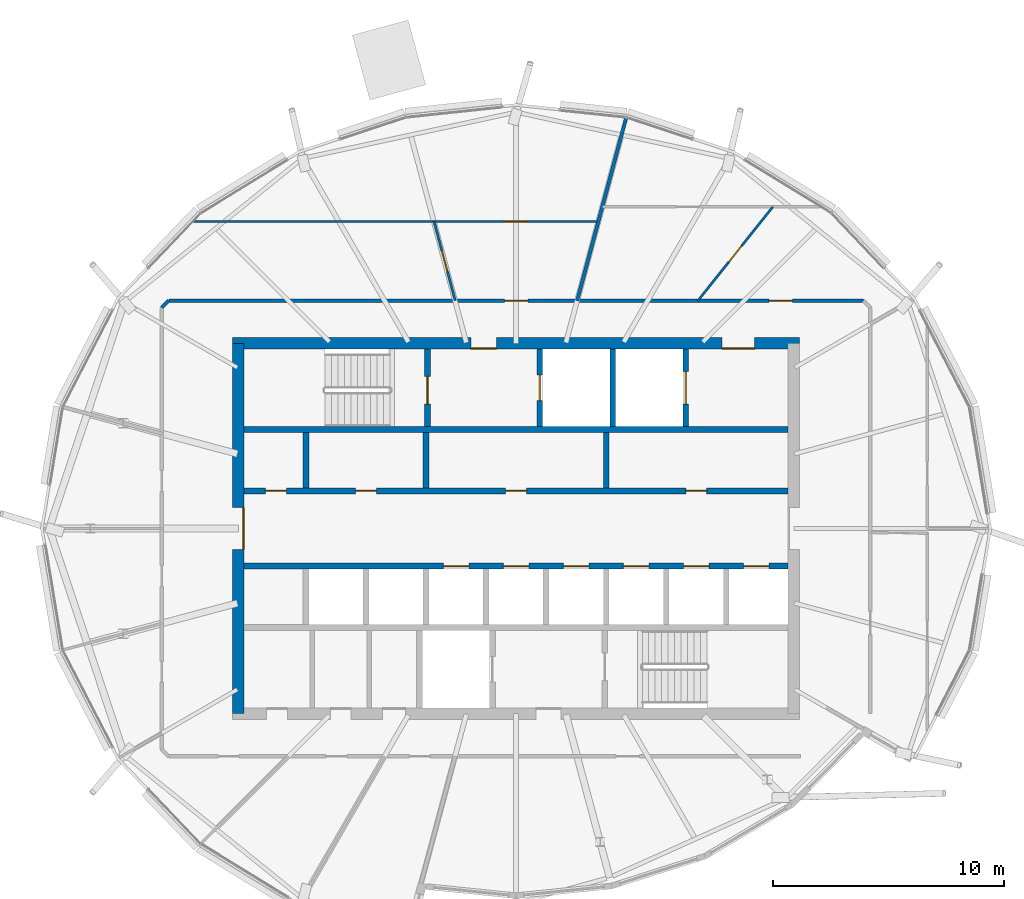
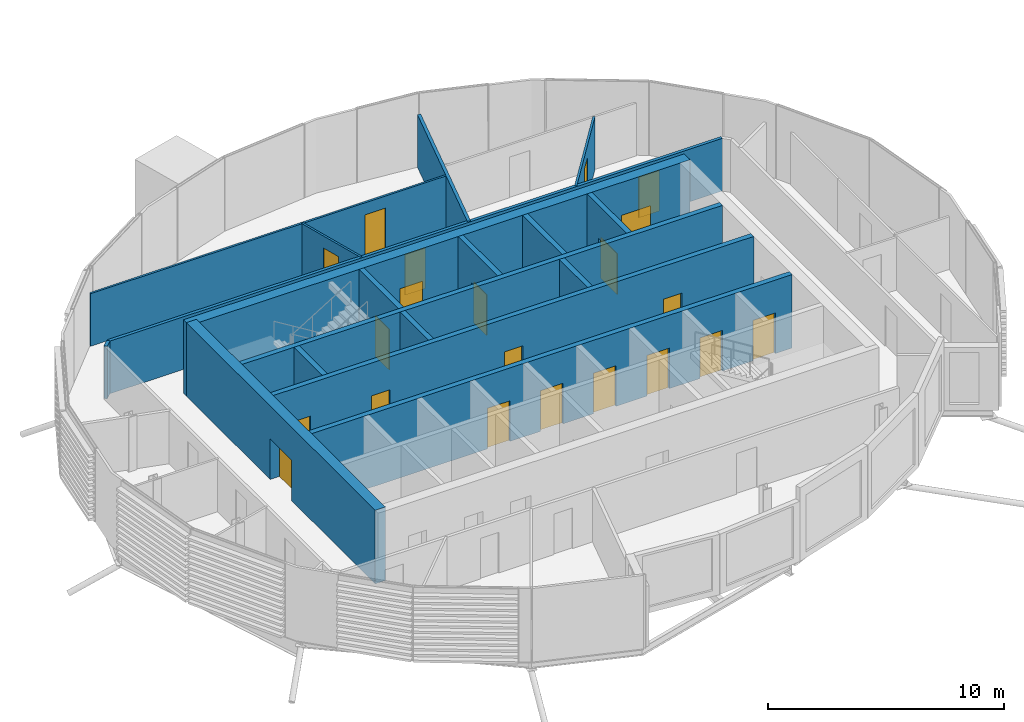
# One storey, part 17 of 33: 21 doors, 18 walls, 21 openings.
"""IFC4 building model written with IfcOpenShell, lengths in metres."""

from ifc_helpers import new_model, si_unit, direction, frame, frame_2d, origin, place, context, subcontext, project, spatial, rectangle, extrude, material, layer, layer_set, type_object, element, fill, save


model = new_model("IFC4")

# Units and contexts
model_context = context("Model", 3, precision=1e-05, world=origin(), true_north=direction((0.0, 1.0)))
body_context = subcontext(model_context, "Body", "Model", "MODEL_VIEW")
ifc_project = project(units=[si_unit("LENGTHUNIT", "METRE"), si_unit("AREAUNIT", "SQUARE_METRE"), si_unit("VOLUMEUNIT", "CUBIC_METRE"), si_unit("PLANEANGLEUNIT", "RADIAN"), si_unit("MASSUNIT", "GRAM", prefix="KILO")], contexts=[model_context])

# Site, building, storey
site_placement = place(None, origin())
site = spatial("IfcSite", under=ifc_project, at=site_placement, CompositionType="ELEMENT")
building_placement = place(site_placement, origin())
building = spatial("IfcBuilding", under=site, at=building_placement, Name="Rimbun Link Towers", CompositionType="ELEMENT")
storey_placement = place(building_placement, frame((0.0, 0.0, 237.10009765625)))
storey = spatial("IfcBuildingStorey", under=building, at=storey_placement, Name="L58", CompositionType="ELEMENT", Elevation=237.10009765625)

# Wall, openings, doors
ifc_material_1 = material(Name="Concrete C60/75", Category="concrete")
ifc_layer_1 = layer(ifc_material_1, 0.5)
ifc_layer_set_1 = layer_set([ifc_layer_1], Name="Core shear wall 500")
wall_type_1 = type_object("IfcWallType", Name="Core shear wall 500", PredefinedType="SHEAR", material=ifc_layer_set_1)
wall_1_placement = place(storey_placement, frame((-44.0, 8.0, 0.0), z_axis=(0.0, 0.0, 1.0), x_axis=(1.0, 0.0, 0.0)))
wall_1 = element("IfcWall", 1, at=wall_1_placement, inside=storey, type_object=wall_type_1, Name="L58 T1 core wall N", PredefinedType="SHEAR", context=body_context, shape_type="SweptSolid", body=[
    extrude(rectangle(XDim=24.5, YDim=0.5, at=frame_2d((12.25, 0.0))), origin(), (0.0, 0.0, 1.0), 3.7998046875),
])
opening_1_placement = place(wall_1_placement, frame((10.300048828125, 0.0, 0.0)))
opening_1 = element("IfcOpeningElement", 2, at=opening_1_placement, cuts=wall_1, Name="Opening C1DCF01N", PredefinedType="OPENING", context=body_context, shape_type="SweptSolid", body=[
    extrude(rectangle(XDim=1.10009765625, YDim=2.10009765625, at=frame_2d((0.550048828125, 1.050048828125))), frame((0.0, 0.260009765625, 0.0), z_axis=(0.0, -1.0, 0.0), x_axis=(1.0, 0.0, 0.0)), (0.0, 0.0, 1.0), 0.52001953125),
])
opening_2_placement = place(wall_1_placement, frame((21.14990234375, 0.0, 0.0)))
opening_2 = element("IfcOpeningElement", 3, at=opening_2_placement, cuts=wall_1, Name="Opening C1DSL02N", PredefinedType="OPENING", context=body_context, shape_type="SweptSolid", body=[
    extrude(rectangle(XDim=1.39990234375, YDim=2.10009765625, at=frame_2d((0.699951171875, 1.050048828125))), frame((0.0, 0.260009765625, 0.0), z_axis=(0.0, -1.0, 0.0), x_axis=(1.0, 0.0, 0.0)), (0.0, 0.0, 1.0), 0.52001953125),
])
ifc_material_2 = material(Name="Steel fire door set", Category="steel")
door_type_1 = type_object("IfcDoorType", Name="Core fire door single", OperationType="SINGLE_SWING_LEFT", PredefinedType="DOOR", material=ifc_material_2)
door_1_placement = place(opening_1_placement, origin())
door_1 = element("IfcDoor", 4, at=door_1_placement, inside=storey, type_object=door_type_1, Name="L58 T1 firefighting lobby n door", OperationType="SINGLE_SWING_LEFT", OverallHeight=2.10009765625, OverallWidth=1.10009765625, PredefinedType="DOOR", context=body_context, shape_type="SweptSolid", body=[
    extrude(rectangle(XDim=1.10009765625, YDim=2.10009765625, at=frame_2d((0.550048828125, 1.050048828125))), frame((0.0, -0.2001953125, 0.0), z_axis=(0.0, -1.0, 0.0), x_axis=(1.0, 0.0, 0.0)), (0.0, 0.0, 1.0), 0.050048828125),
])
fill(opening_1, door_1)
ifc_material_3 = material(Name="Steel fire door set", Category="steel")
door_type_2 = type_object("IfcDoorType", Name="Service lobby door double", OperationType="DOUBLE_DOOR_SINGLE_SWING", PredefinedType="DOOR", material=ifc_material_3)
door_2_placement = place(opening_2_placement, origin())
door_2 = element("IfcDoor", 5, at=door_2_placement, inside=storey, type_object=door_type_2, Name="L58 T1 service lobby door", OperationType="DOUBLE_DOOR_SINGLE_SWING", OverallHeight=2.10009765625, OverallWidth=1.39990234375, PredefinedType="DOOR", context=body_context, shape_type="SweptSolid", body=[
    extrude(rectangle(XDim=1.39990234375, YDim=2.10009765625, at=frame_2d((0.699951171875, 1.050048828125))), frame((0.0, -0.2001953125, 0.0), z_axis=(0.0, -1.0, 0.0), x_axis=(1.0, 0.0, 0.0)), (0.0, 0.0, 1.0), 0.050048828125),
])
fill(opening_2, door_2)

# Wall, opening, door
wall_2_placement = place(storey_placement, frame((-43.75, -8.0, 0.0), z_axis=(0.0, 0.0, 1.0), x_axis=(0.0, 1.0, 0.0)))
wall_2 = element("IfcWall", 6, at=wall_2_placement, inside=storey, type_object=wall_type_1, Name="L58 T1 core wall W", PredefinedType="SHEAR", context=body_context, shape_type="SweptSolid", body=[
    extrude(rectangle(XDim=16.0, YDim=0.5, at=frame_2d((8.0, 0.0))), origin(), (0.0, 0.0, 1.0), 3.7998046875),
])
opening_3_placement = place(wall_2_placement, frame((7.10009765625, 0.0, 0.0)))
opening_3 = element("IfcOpeningElement", 7, at=opening_3_placement, cuts=wall_2, Name="Opening C1DCL01W", PredefinedType="OPENING", context=body_context, shape_type="SweptSolid", body=[
    extrude(rectangle(XDim=1.800048828125, YDim=2.10009765625, at=frame_2d((0.89990234375, 1.050048828125))), frame((0.0, 0.260009765625, 0.0), z_axis=(0.0, -1.0, 0.0), x_axis=(1.0, 0.0, 0.0)), (0.0, 0.0, 1.0), 0.52001953125),
])
ifc_material_4 = material(Name="Steel fire door set", Category="steel")
door_type_3 = type_object("IfcDoorType", Name="Core lobby door double", OperationType="DOUBLE_DOOR_SINGLE_SWING", PredefinedType="DOOR", material=ifc_material_4)
door_3_placement = place(opening_3_placement, origin())
door_3 = element("IfcDoor", 8, at=door_3_placement, inside=storey, type_object=door_type_3, Name="L58 T1 lift lobby door", OperationType="DOUBLE_DOOR_SINGLE_SWING", OverallHeight=2.10009765625, OverallWidth=1.800048828125, PredefinedType="DOOR", context=body_context, shape_type="SweptSolid", body=[
    extrude(rectangle(XDim=1.800048828125, YDim=2.10009765625, at=frame_2d((0.89990234375, 1.050048828125))), frame((0.0, -0.2001953125, 0.0), z_axis=(0.0, -1.0, 0.0), x_axis=(1.0, 0.0, 0.0)), (0.0, 0.0, 1.0), 0.050048828125),
])
fill(opening_3, door_3)

# Wall
ifc_material_5 = material(Name="Plasterboard on steel stud, mineral wool", Category="steel")
ifc_layer_2 = layer(ifc_material_5, 0.14990234375)
ifc_layer_set_2 = layer_set([ifc_layer_2], Name="Corridor wall EI 30 150 mm")
wall_type_2 = type_object("IfcWallType", Name="Corridor wall EI 30 150 mm", PredefinedType="PARTITIONING", material=ifc_layer_set_2)
wall_3_placement = place(storey_placement, frame((-46.753662109375, 9.844970703125, 0.0), z_axis=(0.0, 0.0, 1.0), x_axis=(-0.707106781187, -0.707106781187, 0.0)))
element("IfcWall", 9, at=wall_3_placement, inside=storey, type_object=wall_type_2, Name="Corridor wall EI 30 150 mm", PredefinedType="PARTITIONING", context=body_context, shape_type="SweptSolid", body=[
    extrude(rectangle(XDim=0.426025390625, YDim=0.14990234375, at=frame_2d((0.212890625, 0.0))), origin(), (0.0, 0.0, 1.0), 2.721923828125),
])

# Wall, openings, doors
wall_4_placement = place(storey_placement, frame((-46.753662109375, 9.844970703125, 0.0), z_axis=(0.0, 0.0, 1.0), x_axis=(1.0, 0.0, 0.0)))
wall_4 = element("IfcWall", 10, at=wall_4_placement, inside=storey, type_object=wall_type_2, Name="Corridor wall EI 30 150 mm", PredefinedType="PARTITIONING", context=body_context, shape_type="SweptSolid", body=[
    extrude(rectangle(XDim=30.00732421875, YDim=0.14990234375, at=frame_2d((15.003662109375, 0.0))), origin(), (0.0, 0.0, 1.0), 2.721923828125),
])
opening_4_placement = place(wall_4_placement, frame((25.933837890625, 0.0, 0.0)))
opening_4 = element("IfcOpeningElement", 11, at=opening_4_placement, cuts=wall_4, Name="Opening D01", PredefinedType="OPENING", context=body_context, shape_type="SweptSolid", body=[
    extrude(rectangle(XDim=1.0, YDim=2.10009765625, at=frame_2d((0.5, 1.050048828125))), frame((0.0, 0.0849609375, 0.0), z_axis=(0.0, -1.0, 0.0), x_axis=(1.0, 0.0, 0.0)), (0.0, 0.0, 1.0), 0.169921875),
])
opening_5_placement = place(wall_4_placement, frame((14.507080078125, 0.0, 0.0)))
opening_5 = element("IfcOpeningElement", 12, at=opening_5_placement, cuts=wall_4, Name="Opening D01", PredefinedType="OPENING", context=body_context, shape_type="SweptSolid", body=[
    extrude(rectangle(XDim=1.0, YDim=2.10009765625, at=frame_2d((0.5, 1.050048828125))), frame((0.0, 0.0849609375, 0.0), z_axis=(0.0, -1.0, 0.0), x_axis=(1.0, 0.0, 0.0)), (0.0, 0.0, 1.0), 0.169921875),
])
ifc_material_6 = material(Name="Fire-resisting timber door leaf", Category="wood")
door_type_4 = type_object("IfcDoorType", Name="Fire door FD30S 1000", OperationType="NOTDEFINED", PredefinedType="DOOR", material=ifc_material_6)
door_4_placement = place(opening_4_placement, origin())
door_4 = element("IfcDoor", 13, at=door_4_placement, inside=storey, type_object=door_type_4, Name="Fire door FD30S 1000 to Reception", OperationType="SINGLE_SWING_RIGHT", OverallHeight=2.10009765625, OverallWidth=1.0, PredefinedType="DOOR", context=body_context, shape_type="SweptSolid", body=[
    extrude(rectangle(XDim=1.0, YDim=2.10009765625, at=frame_2d((0.5, 1.050048828125))), frame((0.0, 0.02490234375, 0.0), z_axis=(0.0, -1.0, 0.0), x_axis=(1.0, 0.0, 0.0)), (0.0, 0.0, 1.0), 0.050048828125),
])
fill(opening_4, door_4)
door_5_placement = place(opening_5_placement, origin())
door_5 = element("IfcDoor", 14, at=door_5_placement, inside=storey, type_object=door_type_4, Name="Fire door FD30S 1000 to Reception", OperationType="SINGLE_SWING_LEFT", OverallHeight=2.10009765625, OverallWidth=1.0, PredefinedType="DOOR", context=body_context, shape_type="SweptSolid", body=[
    extrude(rectangle(XDim=1.0, YDim=2.10009765625, at=frame_2d((0.5, 1.050048828125))), frame((0.0, 0.02490234375, 0.0), z_axis=(0.0, -1.0, 0.0), x_axis=(1.0, 0.0, 0.0)), (0.0, 0.0, 1.0), 0.050048828125),
])
fill(opening_5, door_5)

# Wall, opening, door
ifc_material_7 = material(Name="Plasterboard on steel stud", Category="steel")
ifc_layer_3 = layer(ifc_material_7, 0.10009765625)
ifc_layer_set_3 = layer_set([ifc_layer_3], Name="Plasterboard partition 100 mm")
wall_type_3 = type_object("IfcWallType", Name="Plasterboard partition 100 mm", PredefinedType="PARTITIONING", material=ifc_layer_set_3)
wall_5_placement = place(storey_placement, frame((-23.893310546875, 9.844970703125, 0.0), z_axis=(0.0, 0.0, 1.0), x_axis=(0.623769525553, 0.781608328379, 0.0)))
wall_5 = element("IfcWall", 15, at=wall_5_placement, inside=storey, type_object=wall_type_3, Name="Plasterboard partition 100 mm", PredefinedType="PARTITIONING", context=body_context, shape_type="SweptSolid", body=[
    extrude(rectangle(XDim=5.181640625, YDim=0.10009765625, at=frame_2d((2.5908203125, 0.0))), origin(), (0.0, 0.0, 1.0), 2.721923828125),
])
opening_6_placement = place(wall_5_placement, frame((2.140869140625, 0.0, 0.0)))
opening_6 = element("IfcOpeningElement", 16, at=opening_6_placement, cuts=wall_5, Name="Opening D04", PredefinedType="OPENING", context=body_context, shape_type="SweptSolid", body=[
    extrude(rectangle(XDim=0.89990234375, YDim=2.10009765625, at=frame_2d((0.449951171875, 1.050048828125))), frame((0.0, 0.06005859375, 0.0), z_axis=(0.0, -1.0, 0.0), x_axis=(1.0, 0.0, 0.0)), (0.0, 0.0, 1.0), 0.1201171875),
])
ifc_material_8 = material(Name="Timber door leaf", Category="wood")
door_type_5 = type_object("IfcDoorType", Name="Flush door 900", OperationType="NOTDEFINED", PredefinedType="DOOR", material=ifc_material_8)
door_6_placement = place(opening_6_placement, origin())
door_6 = element("IfcDoor", 17, at=door_6_placement, inside=storey, type_object=door_type_5, Name="Flush door 900 to Pantry", OperationType="SINGLE_SWING_LEFT", OverallHeight=2.10009765625, OverallWidth=0.89990234375, PredefinedType="DOOR", context=body_context, shape_type="SweptSolid", body=[
    extrude(rectangle(XDim=0.89990234375, YDim=2.10009765625, at=frame_2d((0.449951171875, 1.050048828125))), frame((0.0, 0.02490234375, 0.0), z_axis=(0.0, -1.0, 0.0), x_axis=(1.0, 0.0, 0.0)), (0.0, 0.0, 1.0), 0.050048828125),
])
fill(opening_6, door_6)

wall_6_placement = place(storey_placement, frame((-34.380859375, 9.844970703125, 0.0), z_axis=(0.0, 0.0, 1.0), x_axis=(-0.258212054704, 0.966088264501, 0.0)))
wall_6 = element("IfcWall", 18, at=wall_6_placement, inside=storey, type_object=wall_type_3, Name="Plasterboard partition 100 mm", PredefinedType="PARTITIONING", context=body_context, shape_type="SweptSolid", body=[
    extrude(rectangle(XDim=3.5400390625, YDim=0.10009765625, at=frame_2d((1.77001953125, 0.0))), origin(), (0.0, 0.0, 1.0), 2.721923828125),
])
opening_7_placement = place(wall_6_placement, frame((1.320068359375, 0.0, 0.0)))
opening_7 = element("IfcOpeningElement", 19, at=opening_7_placement, cuts=wall_6, Name="Opening D04", PredefinedType="OPENING", context=body_context, shape_type="SweptSolid", body=[
    extrude(rectangle(XDim=0.89990234375, YDim=2.10009765625, at=frame_2d((0.449951171875, 1.050048828125))), frame((0.0, 0.06005859375, 0.0), z_axis=(0.0, -1.0, 0.0), x_axis=(1.0, 0.0, 0.0)), (0.0, 0.0, 1.0), 0.1201171875),
])
door_7_placement = place(opening_7_placement, origin())
door_7 = element("IfcDoor", 20, at=door_7_placement, inside=storey, type_object=door_type_5, Name="Flush door 900 to Meeting room", OperationType="SINGLE_SWING_RIGHT", OverallHeight=2.10009765625, OverallWidth=0.89990234375, PredefinedType="DOOR", context=body_context, shape_type="SweptSolid", body=[
    extrude(rectangle(XDim=0.89990234375, YDim=2.10009765625, at=frame_2d((0.449951171875, 1.050048828125))), frame((0.0, 0.02490234375, 0.0), z_axis=(0.0, -1.0, 0.0), x_axis=(1.0, 0.0, 0.0)), (0.0, 0.0, 1.0), 0.050048828125),
])
fill(opening_7, door_7)

wall_7_placement = place(storey_placement, frame((-45.677978515625, 13.264892578125, 0.0), z_axis=(0.0, 0.0, 1.0), x_axis=(1.0, 0.0, 0.0)))
wall_7 = element("IfcWall", 21, at=wall_7_placement, inside=storey, type_object=wall_type_3, Name="Plasterboard partition 100 mm", PredefinedType="PARTITIONING", context=body_context, shape_type="SweptSolid", body=[
    extrude(rectangle(XDim=17.482177734375, YDim=0.10009765625, at=frame_2d((8.7412109375, 0.0))), origin(), (0.0, 0.0, 1.0), 2.721923828125),
])
opening_8_placement = place(wall_7_placement, frame((13.417724609375, 0.0, 0.0)))
opening_8 = element("IfcOpeningElement", 22, at=opening_8_placement, cuts=wall_7, Name="Opening D03", PredefinedType="OPENING", context=body_context, shape_type="SweptSolid", body=[
    extrude(rectangle(XDim=1.0, YDim=2.10009765625, at=frame_2d((0.5, 1.050048828125))), frame((0.0, 0.06005859375, 0.0), z_axis=(0.0, -1.0, 0.0), x_axis=(1.0, 0.0, 0.0)), (0.0, 0.0, 1.0), 0.1201171875),
])
ifc_material_9 = material(Name="Timber door leaf", Category="wood")
door_type_6 = type_object("IfcDoorType", Name="Flush door 1000", OperationType="NOTDEFINED", PredefinedType="DOOR", material=ifc_material_9)
door_8_placement = place(opening_8_placement, origin())
door_8 = element("IfcDoor", 23, at=door_8_placement, inside=storey, type_object=door_type_6, Name="Flush door 1000 to Open office", OperationType="SINGLE_SWING_LEFT", OverallHeight=2.10009765625, OverallWidth=1.0, PredefinedType="DOOR", context=body_context, shape_type="SweptSolid", body=[
    extrude(rectangle(XDim=1.0, YDim=2.10009765625, at=frame_2d((0.5, 1.050048828125))), frame((0.0, 0.02490234375, 0.0), z_axis=(0.0, -1.0, 0.0), x_axis=(1.0, 0.0, 0.0)), (0.0, 0.0, 1.0), 0.050048828125),
])
fill(opening_8, door_8)

# Wall
ifc_material_10 = material(Name="Concrete C60/75", Category="concrete")
ifc_layer_4 = layer(ifc_material_10, 0.25)
ifc_layer_set_4 = layer_set([ifc_layer_4], Name="Shaft wall 250")
wall_type_4 = type_object("IfcWallType", Name="Shaft wall 250", PredefinedType="SHEAR", material=ifc_layer_set_4)
wall_8_placement = place(storey_placement, frame((-43.5, 4.27490234375, 0.0), z_axis=(0.0, 0.0, 1.0), x_axis=(1.0, 0.0, 0.0)))
element("IfcWall", 24, at=wall_8_placement, inside=storey, type_object=wall_type_4, Name="L58 T1 core wall BN", PredefinedType="SHEAR", context=body_context, shape_type="SweptSolid", body=[
    extrude(rectangle(XDim=23.5, YDim=0.25, at=frame_2d((11.75, 0.0))), origin(), (0.0, 0.0, 1.0), 3.7998046875),
])

# Wall, openings, doors
wall_9_placement = place(storey_placement, frame((-43.5, 1.625, 0.0), z_axis=(0.0, 0.0, 1.0), x_axis=(1.0, 0.0, 0.0)))
wall_9 = element("IfcWall", 25, at=wall_9_placement, inside=storey, type_object=wall_type_4, Name="L58 T1 core wall FN", PredefinedType="SHEAR", context=body_context, shape_type="SweptSolid", body=[
    extrude(rectangle(XDim=23.5, YDim=0.25, at=frame_2d((11.75, 0.0))), origin(), (0.0, 0.0, 1.0), 3.7998046875),
])
opening_9_placement = place(wall_9_placement, frame((0.922119140625, 0.0, 0.0)))
opening_9 = element("IfcOpeningElement", 26, at=opening_9_placement, cuts=wall_9, Name="Opening C1DRS01FN", PredefinedType="OPENING", context=body_context, shape_type="SweptSolid", body=[
    extrude(rectangle(XDim=0.89990234375, YDim=2.10009765625, at=frame_2d((0.449951171875, 1.050048828125))), frame((0.0, 0.135009765625, 0.0), z_axis=(0.0, -1.0, 0.0), x_axis=(1.0, 0.0, 0.0)), (0.0, 0.0, 1.0), 0.27001953125),
])
opening_10_placement = place(wall_9_placement, frame((4.81396484375, 0.0, 0.0)))
opening_10 = element("IfcOpeningElement", 27, at=opening_10_placement, cuts=wall_9, Name="Opening C1DRS02FN", PredefinedType="OPENING", context=body_context, shape_type="SweptSolid", body=[
    extrude(rectangle(XDim=0.89990234375, YDim=2.10009765625, at=frame_2d((0.449951171875, 1.050048828125))), frame((0.0, 0.135009765625, 0.0), z_axis=(0.0, -1.0, 0.0), x_axis=(1.0, 0.0, 0.0)), (0.0, 0.0, 1.0), 0.27001953125),
])
opening_11_placement = place(wall_9_placement, frame((11.300048828125, 0.0, 0.0)))
opening_11 = element("IfcOpeningElement", 28, at=opening_11_placement, cuts=wall_9, Name="Opening C1DRS03FN", PredefinedType="OPENING", context=body_context, shape_type="SweptSolid", body=[
    extrude(rectangle(XDim=0.89990234375, YDim=2.10009765625, at=frame_2d((0.449951171875, 1.050048828125))), frame((0.0, 0.135009765625, 0.0), z_axis=(0.0, -1.0, 0.0), x_axis=(1.0, 0.0, 0.0)), (0.0, 0.0, 1.0), 0.27001953125),
])
opening_12_placement = place(wall_9_placement, frame((19.083251953125, 0.0, 0.0)))
opening_12 = element("IfcOpeningElement", 29, at=opening_12_placement, cuts=wall_9, Name="Opening C1DRS04FN", PredefinedType="OPENING", context=body_context, shape_type="SweptSolid", body=[
    extrude(rectangle(XDim=0.89990234375, YDim=2.10009765625, at=frame_2d((0.449951171875, 1.050048828125))), frame((0.0, 0.135009765625, 0.0), z_axis=(0.0, -1.0, 0.0), x_axis=(1.0, 0.0, 0.0)), (0.0, 0.0, 1.0), 0.27001953125),
])
ifc_material_11 = material(Name="Steel fire door set", Category="steel")
door_type_7 = type_object("IfcDoorType", Name="Core riser door", OperationType="SINGLE_SWING_LEFT", PredefinedType="DOOR", material=ifc_material_11)
door_9_placement = place(opening_9_placement, origin())
door_9 = element("IfcDoor", 30, at=door_9_placement, inside=storey, type_object=door_type_7, Name="L58 T1 cleaner store door", OperationType="SINGLE_SWING_LEFT", OverallHeight=2.10009765625, OverallWidth=0.89990234375, PredefinedType="DOOR", context=body_context, shape_type="SweptSolid", body=[
    extrude(rectangle(XDim=0.89990234375, YDim=2.10009765625, at=frame_2d((0.449951171875, 1.050048828125))), frame((0.0, 0.02490234375, 0.0), z_axis=(0.0, -1.0, 0.0), x_axis=(1.0, 0.0, 0.0)), (0.0, 0.0, 1.0), 0.050048828125),
])
fill(opening_9, door_9)
door_10_placement = place(opening_10_placement, origin())
door_10 = element("IfcDoor", 31, at=door_10_placement, inside=storey, type_object=door_type_7, Name="L58 T1 staff lounge door", OperationType="SINGLE_SWING_RIGHT", OverallHeight=2.10009765625, OverallWidth=0.89990234375, PredefinedType="DOOR", context=body_context, shape_type="SweptSolid", body=[
    extrude(rectangle(XDim=0.89990234375, YDim=2.10009765625, at=frame_2d((0.449951171875, 1.050048828125))), frame((0.0, 0.02490234375, 0.0), z_axis=(0.0, -1.0, 0.0), x_axis=(1.0, 0.0, 0.0)), (0.0, 0.0, 1.0), 0.050048828125),
])
fill(opening_10, door_10)
door_11_placement = place(opening_11_placement, origin())
door_11 = element("IfcDoor", 32, at=door_11_placement, inside=storey, type_object=door_type_7, Name="L58 T1 training store door", OperationType="SINGLE_SWING_LEFT", OverallHeight=2.10009765625, OverallWidth=0.89990234375, PredefinedType="DOOR", context=body_context, shape_type="SweptSolid", body=[
    extrude(rectangle(XDim=0.89990234375, YDim=2.10009765625, at=frame_2d((0.449951171875, 1.050048828125))), frame((0.0, 0.02490234375, 0.0), z_axis=(0.0, -1.0, 0.0), x_axis=(1.0, 0.0, 0.0)), (0.0, 0.0, 1.0), 0.050048828125),
])
fill(opening_11, door_11)
door_12_placement = place(opening_12_placement, origin())
door_12 = element("IfcDoor", 33, at=door_12_placement, inside=storey, type_object=door_type_7, Name="L58 T1 meeting pod door", OperationType="SINGLE_SWING_LEFT", OverallHeight=2.10009765625, OverallWidth=0.89990234375, PredefinedType="DOOR", context=body_context, shape_type="SweptSolid", body=[
    extrude(rectangle(XDim=0.89990234375, YDim=2.10009765625, at=frame_2d((0.449951171875, 1.050048828125))), frame((0.0, 0.02490234375, 0.0), z_axis=(0.0, -1.0, 0.0), x_axis=(1.0, 0.0, 0.0)), (0.0, 0.0, 1.0), 0.050048828125),
])
fill(opening_12, door_12)

wall_10_placement = place(storey_placement, frame((-43.5, -1.625, 0.0), z_axis=(0.0, 0.0, 1.0), x_axis=(1.0, 0.0, 0.0)))
wall_10 = element("IfcWall", 34, at=wall_10_placement, inside=storey, type_object=wall_type_4, Name="L58 T1 core wall FS", PredefinedType="SHEAR", context=body_context, shape_type="SweptSolid", body=[
    extrude(rectangle(XDim=23.5, YDim=0.25, at=frame_2d((11.75, 0.0))), origin(), (0.0, 0.0, 1.0), 3.7998046875),
])
opening_13_placement = place(wall_10_placement, frame((8.605712890625, 0.0, 0.0)))
opening_13 = element("IfcOpeningElement", 35, at=opening_13_placement, cuts=wall_10, Name="Opening LD-T1-HR1", PredefinedType="OPENING", context=body_context, shape_type="SweptSolid", body=[
    extrude(rectangle(XDim=1.10009765625, YDim=2.10009765625, at=frame_2d((0.550048828125, 1.050048828125))), frame((0.0, 0.135009765625, 0.0), z_axis=(0.0, -1.0, 0.0), x_axis=(1.0, 0.0, 0.0)), (0.0, 0.0, 1.0), 0.27001953125),
])
opening_14_placement = place(wall_10_placement, frame((11.199951171875, 0.0, 0.0)))
opening_14 = element("IfcOpeningElement", 36, at=opening_14_placement, cuts=wall_10, Name="Opening LD-T1-HR2", PredefinedType="OPENING", context=body_context, shape_type="SweptSolid", body=[
    extrude(rectangle(XDim=1.10009765625, YDim=2.10009765625, at=frame_2d((0.550048828125, 1.050048828125))), frame((0.0, 0.135009765625, 0.0), z_axis=(0.0, -1.0, 0.0), x_axis=(1.0, 0.0, 0.0)), (0.0, 0.0, 1.0), 0.27001953125),
])
opening_15_placement = place(wall_10_placement, frame((13.79443359375, 0.0, 0.0)))
opening_15 = element("IfcOpeningElement", 37, at=opening_15_placement, cuts=wall_10, Name="Opening LD-T1-HR3", PredefinedType="OPENING", context=body_context, shape_type="SweptSolid", body=[
    extrude(rectangle(XDim=1.10009765625, YDim=2.10009765625, at=frame_2d((0.550048828125, 1.050048828125))), frame((0.0, 0.135009765625, 0.0), z_axis=(0.0, -1.0, 0.0), x_axis=(1.0, 0.0, 0.0)), (0.0, 0.0, 1.0), 0.27001953125),
])
opening_16_placement = place(wall_10_placement, frame((16.388916015625, 0.0, 0.0)))
opening_16 = element("IfcOpeningElement", 38, at=opening_16_placement, cuts=wall_10, Name="Opening LD-T1-HR4", PredefinedType="OPENING", context=body_context, shape_type="SweptSolid", body=[
    extrude(rectangle(XDim=1.10009765625, YDim=2.10009765625, at=frame_2d((0.550048828125, 1.050048828125))), frame((0.0, 0.135009765625, 0.0), z_axis=(0.0, -1.0, 0.0), x_axis=(1.0, 0.0, 0.0)), (0.0, 0.0, 1.0), 0.27001953125),
])
opening_17_placement = place(wall_10_placement, frame((18.9833984375, 0.0, 0.0)))
opening_17 = element("IfcOpeningElement", 39, at=opening_17_placement, cuts=wall_10, Name="Opening LD-T1-HR5", PredefinedType="OPENING", context=body_context, shape_type="SweptSolid", body=[
    extrude(rectangle(XDim=1.10009765625, YDim=2.10009765625, at=frame_2d((0.550048828125, 1.050048828125))), frame((0.0, 0.135009765625, 0.0), z_axis=(0.0, -1.0, 0.0), x_axis=(1.0, 0.0, 0.0)), (0.0, 0.0, 1.0), 0.27001953125),
])
opening_18_placement = place(wall_10_placement, frame((21.577880859375, 0.0, 0.0)))
opening_18 = element("IfcOpeningElement", 40, at=opening_18_placement, cuts=wall_10, Name="Opening LD-T1-HR6", PredefinedType="OPENING", context=body_context, shape_type="SweptSolid", body=[
    extrude(rectangle(XDim=1.10009765625, YDim=2.10009765625, at=frame_2d((0.550048828125, 1.050048828125))), frame((0.0, 0.135009765625, 0.0), z_axis=(0.0, -1.0, 0.0), x_axis=(1.0, 0.0, 0.0)), (0.0, 0.0, 1.0), 0.27001953125),
])
ifc_material_12 = material(Name="Stainless steel grade 316", Category="steel")
door_type_8 = type_object("IfcDoorType", Name="Lift landing door", OperationType="DOUBLE_DOOR_SLIDING", PredefinedType="DOOR", material=ifc_material_12)
door_13_placement = place(opening_13_placement, origin())
door_13 = element("IfcDoor", 41, at=door_13_placement, inside=storey, type_object=door_type_8, Name="L58 T1 lift HR1 landing door", OperationType="DOUBLE_DOOR_SLIDING", OverallHeight=2.10009765625, OverallWidth=1.10009765625, PredefinedType="DOOR", context=body_context, shape_type="SweptSolid", body=[
    extrude(rectangle(XDim=1.10009765625, YDim=2.10009765625, at=frame_2d((0.550048828125, 1.050048828125))), frame((0.0, 0.02490234375, 0.0), z_axis=(0.0, -1.0, 0.0), x_axis=(1.0, 0.0, 0.0)), (0.0, 0.0, 1.0), 0.050048828125),
])
fill(opening_13, door_13)
door_14_placement = place(opening_14_placement, origin())
door_14 = element("IfcDoor", 42, at=door_14_placement, inside=storey, type_object=door_type_8, Name="L58 T1 lift HR2 landing door", OperationType="DOUBLE_DOOR_SLIDING", OverallHeight=2.10009765625, OverallWidth=1.10009765625, PredefinedType="DOOR", context=body_context, shape_type="SweptSolid", body=[
    extrude(rectangle(XDim=1.10009765625, YDim=2.10009765625, at=frame_2d((0.550048828125, 1.050048828125))), frame((0.0, 0.02490234375, 0.0), z_axis=(0.0, -1.0, 0.0), x_axis=(1.0, 0.0, 0.0)), (0.0, 0.0, 1.0), 0.050048828125),
])
fill(opening_14, door_14)
door_15_placement = place(opening_15_placement, origin())
door_15 = element("IfcDoor", 43, at=door_15_placement, inside=storey, type_object=door_type_8, Name="L58 T1 lift HR3 landing door", OperationType="DOUBLE_DOOR_SLIDING", OverallHeight=2.10009765625, OverallWidth=1.10009765625, PredefinedType="DOOR", context=body_context, shape_type="SweptSolid", body=[
    extrude(rectangle(XDim=1.10009765625, YDim=2.10009765625, at=frame_2d((0.550048828125, 1.050048828125))), frame((0.0, 0.02490234375, 0.0), z_axis=(0.0, -1.0, 0.0), x_axis=(1.0, 0.0, 0.0)), (0.0, 0.0, 1.0), 0.050048828125),
])
fill(opening_15, door_15)
door_16_placement = place(opening_16_placement, origin())
door_16 = element("IfcDoor", 44, at=door_16_placement, inside=storey, type_object=door_type_8, Name="L58 T1 lift HR4 landing door", OperationType="DOUBLE_DOOR_SLIDING", OverallHeight=2.10009765625, OverallWidth=1.10009765625, PredefinedType="DOOR", context=body_context, shape_type="SweptSolid", body=[
    extrude(rectangle(XDim=1.10009765625, YDim=2.10009765625, at=frame_2d((0.550048828125, 1.050048828125))), frame((0.0, 0.02490234375, 0.0), z_axis=(0.0, -1.0, 0.0), x_axis=(1.0, 0.0, 0.0)), (0.0, 0.0, 1.0), 0.050048828125),
])
fill(opening_16, door_16)
door_17_placement = place(opening_17_placement, origin())
door_17 = element("IfcDoor", 45, at=door_17_placement, inside=storey, type_object=door_type_8, Name="L58 T1 lift HR5 landing door", OperationType="DOUBLE_DOOR_SLIDING", OverallHeight=2.10009765625, OverallWidth=1.10009765625, PredefinedType="DOOR", context=body_context, shape_type="SweptSolid", body=[
    extrude(rectangle(XDim=1.10009765625, YDim=2.10009765625, at=frame_2d((0.550048828125, 1.050048828125))), frame((0.0, 0.02490234375, 0.0), z_axis=(0.0, -1.0, 0.0), x_axis=(1.0, 0.0, 0.0)), (0.0, 0.0, 1.0), 0.050048828125),
])
fill(opening_17, door_17)
door_18_placement = place(opening_18_placement, origin())
door_18 = element("IfcDoor", 46, at=door_18_placement, inside=storey, type_object=door_type_8, Name="L58 T1 lift HR6 landing door", OperationType="DOUBLE_DOOR_SLIDING", OverallHeight=2.10009765625, OverallWidth=1.10009765625, PredefinedType="DOOR", context=body_context, shape_type="SweptSolid", body=[
    extrude(rectangle(XDim=1.10009765625, YDim=2.10009765625, at=frame_2d((0.550048828125, 1.050048828125))), frame((0.0, 0.02490234375, 0.0), z_axis=(0.0, -1.0, 0.0), x_axis=(1.0, 0.0, 0.0)), (0.0, 0.0, 1.0), 0.050048828125),
])
fill(opening_18, door_18)

# Walls
for number, where, z_axis, x_axis, name in (
    (47, (-40.83056640625, 1.75, 0.0), (0.0, 0.0, 1.0), (0.0, 1.0, 0.0), "L58 T1 core wall DN0"),
    (48, (-35.6416015625, 1.75, 0.0), (0.0, 0.0, 1.0), (0.0, 1.0, 0.0), "L58 T1 core wall DN2"),
    (49, (-27.8583984375, 1.75, 0.0), (0.0, 0.0, 1.0), (0.0, 1.0, 0.0), "L58 T1 core wall DN5"),
):
    element("IfcWall", number, at=place(storey_placement, frame(where, z_axis=z_axis, x_axis=x_axis)), inside=storey, type_object=wall_type_4, Name=name, PredefinedType="SHEAR", context=body_context, shape_type="SweptSolid", body=[
        extrude(rectangle(XDim=2.39990234375, YDim=0.25, at=frame_2d((1.199951171875, 0.0))), origin(), (0.0, 0.0, 1.0), 3.7998046875),
    ])

# Wall, opening, door
wall_11_placement = place(storey_placement, frame((-35.574951171875, 4.39990234375, 0.0), z_axis=(0.0, 0.0, 1.0), x_axis=(0.0, 1.0, 0.0)))
wall_11 = element("IfcWall", 50, at=wall_11_placement, inside=storey, type_object=wall_type_4, Name="L58 T1 core wall A1", PredefinedType="SHEAR", context=body_context, shape_type="SweptSolid", body=[
    extrude(rectangle(XDim=3.35009765625, YDim=0.25, at=frame_2d((1.675048828125, 0.0))), origin(), (0.0, 0.0, 1.0), 3.7998046875),
])
opening_19_placement = place(wall_11_placement, frame((0.97509765625, 0.0, 0.0)))
opening_19 = element("IfcOpeningElement", 51, at=opening_19_placement, cuts=wall_11, Name="Opening C1DST01A1", PredefinedType="OPENING", context=body_context, shape_type="SweptSolid", body=[
    extrude(rectangle(XDim=1.199951171875, YDim=2.10009765625, at=frame_2d((0.60009765625, 1.050048828125))), frame((0.0, 0.135009765625, 0.0), z_axis=(0.0, -1.0, 0.0), x_axis=(1.0, 0.0, 0.0)), (0.0, 0.0, 1.0), 0.27001953125),
])
ifc_material_13 = material(Name="Steel fire door set", Category="steel")
door_type_9 = type_object("IfcDoorType", Name="Stair door", OperationType="SINGLE_SWING_LEFT", PredefinedType="DOOR", material=ifc_material_13)
door_19_placement = place(opening_19_placement, origin())
door_19 = element("IfcDoor", 52, at=door_19_placement, inside=storey, type_object=door_type_9, Name="L58 T1 stair a door", OperationType="SINGLE_SWING_RIGHT", OverallHeight=2.10009765625, OverallWidth=1.199951171875, PredefinedType="DOOR", context=body_context, shape_type="SweptSolid", body=[
    extrude(rectangle(XDim=1.199951171875, YDim=2.10009765625, at=frame_2d((0.60009765625, 1.050048828125))), frame((0.0, 0.02490234375, 0.0), z_axis=(0.0, -1.0, 0.0), x_axis=(1.0, 0.0, 0.0)), (0.0, 0.0, 1.0), 0.050048828125),
])
fill(opening_19, door_19)

wall_12_placement = place(storey_placement, frame((-30.72509765625, 4.39990234375, 0.0), z_axis=(0.0, 0.0, 1.0), x_axis=(0.0, 1.0, 0.0)))
wall_12 = element("IfcWall", 53, at=wall_12_placement, inside=storey, type_object=wall_type_4, Name="L58 T1 core wall A2", PredefinedType="SHEAR", context=body_context, shape_type="SweptSolid", body=[
    extrude(rectangle(XDim=3.35009765625, YDim=0.25, at=frame_2d((1.675048828125, 0.0))), origin(), (0.0, 0.0, 1.0), 3.7998046875),
])
opening_20_placement = place(wall_12_placement, frame((1.125, 0.0, 0.0)))
opening_20 = element("IfcOpeningElement", 54, at=opening_20_placement, cuts=wall_12, Name="Opening LD-T1-FF1", PredefinedType="OPENING", context=body_context, shape_type="SweptSolid", body=[
    extrude(rectangle(XDim=1.10009765625, YDim=2.10009765625, at=frame_2d((0.550048828125, 1.050048828125))), frame((0.0, 0.135009765625, 0.0), z_axis=(0.0, -1.0, 0.0), x_axis=(1.0, 0.0, 0.0)), (0.0, 0.0, 1.0), 0.27001953125),
])
door_20_placement = place(opening_20_placement, origin())
door_20 = element("IfcDoor", 55, at=door_20_placement, inside=storey, type_object=door_type_8, Name="L58 T1 lift FF1 landing door", OperationType="DOUBLE_DOOR_SLIDING", OverallHeight=2.10009765625, OverallWidth=1.10009765625, PredefinedType="DOOR", context=body_context, shape_type="SweptSolid", body=[
    extrude(rectangle(XDim=1.10009765625, YDim=2.10009765625, at=frame_2d((0.550048828125, 1.050048828125))), frame((0.0, 0.02490234375, 0.0), z_axis=(0.0, -1.0, 0.0), x_axis=(1.0, 0.0, 0.0)), (0.0, 0.0, 1.0), 0.050048828125),
])
fill(opening_20, door_20)

# Wall
wall_13_placement = place(storey_placement, frame((-27.574951171875, 4.39990234375, 0.0), z_axis=(0.0, 0.0, 1.0), x_axis=(0.0, 1.0, 0.0)))
element("IfcWall", 56, at=wall_13_placement, inside=storey, type_object=wall_type_4, Name="L58 T1 core wall A3", PredefinedType="SHEAR", context=body_context, shape_type="SweptSolid", body=[
    extrude(rectangle(XDim=3.35009765625, YDim=0.25, at=frame_2d((1.675048828125, 0.0))), origin(), (0.0, 0.0, 1.0), 3.7998046875),
])

# Wall, opening, door
wall_14_placement = place(storey_placement, frame((-24.425048828125, 4.39990234375, 0.0), z_axis=(0.0, 0.0, 1.0), x_axis=(0.0, 1.0, 0.0)))
wall_14 = element("IfcWall", 57, at=wall_14_placement, inside=storey, type_object=wall_type_4, Name="L58 T1 core wall A4", PredefinedType="SHEAR", context=body_context, shape_type="SweptSolid", body=[
    extrude(rectangle(XDim=3.35009765625, YDim=0.25, at=frame_2d((1.675048828125, 0.0))), origin(), (0.0, 0.0, 1.0), 3.7998046875),
])
opening_21_placement = place(wall_14_placement, frame((0.97509765625, 0.0, 0.0)))
opening_21 = element("IfcOpeningElement", 58, at=opening_21_placement, cuts=wall_14, Name="Opening LD-T1-GL1", PredefinedType="OPENING", context=body_context, shape_type="SweptSolid", body=[
    extrude(rectangle(XDim=1.39990234375, YDim=2.10009765625, at=frame_2d((0.699951171875, 1.050048828125))), frame((0.0, 0.135009765625, 0.0), z_axis=(0.0, -1.0, 0.0), x_axis=(1.0, 0.0, 0.0)), (0.0, 0.0, 1.0), 0.27001953125),
])
ifc_material_14 = material(Name="Stainless steel grade 316", Category="steel")
door_type_10 = type_object("IfcDoorType", Name="Goods lift landing door", OperationType="DOUBLE_DOOR_SLIDING", PredefinedType="DOOR", material=ifc_material_14)
door_21_placement = place(opening_21_placement, origin())
door_21 = element("IfcDoor", 59, at=door_21_placement, inside=storey, type_object=door_type_10, Name="L58 T1 lift GL1 landing door", OperationType="DOUBLE_DOOR_SLIDING", OverallHeight=2.10009765625, OverallWidth=1.39990234375, PredefinedType="DOOR", context=body_context, shape_type="SweptSolid", body=[
    extrude(rectangle(XDim=1.39990234375, YDim=2.10009765625, at=frame_2d((0.699951171875, 1.050048828125))), frame((0.0, 0.02490234375, 0.0), z_axis=(0.0, -1.0, 0.0), x_axis=(1.0, 0.0, 0.0)), (0.0, 0.0, 1.0), 0.050048828125),
])
fill(opening_21, door_21)

# Wall
ifc_material_15 = material(Name="Plasterboard on steel stud, mineral wool", Category="steel")
ifc_layer_5 = layer(ifc_material_15, 0.14990234375)
ifc_layer_set_5 = layer_set([ifc_layer_5], Name="Tenancy separation wall EI 60 150 mm")
wall_type_5 = type_object("IfcWallType", Name="Tenancy separation wall EI 60 150 mm", PredefinedType="PARTITIONING", material=ifc_layer_set_5)
wall_15_placement = place(storey_placement, frame((-29.112060546875, 9.844970703125, 0.0), z_axis=(0.0, 0.0, 1.0), x_axis=(0.258821226931, 0.965925241667, 0.0)))
element("IfcWall", 60, at=wall_15_placement, inside=storey, type_object=wall_type_5, Name="Tenancy separation wall EI 60 150 mm", PredefinedType="PARTITIONING", context=body_context, shape_type="SweptSolid", body=[
    extrude(rectangle(XDim=8.169677734375, YDim=0.14990234375, at=frame_2d((4.0849609375, 0.0))), origin(), (0.0, 0.0, 1.0), 2.721923828125),
])

save(model, "model.ifc")
